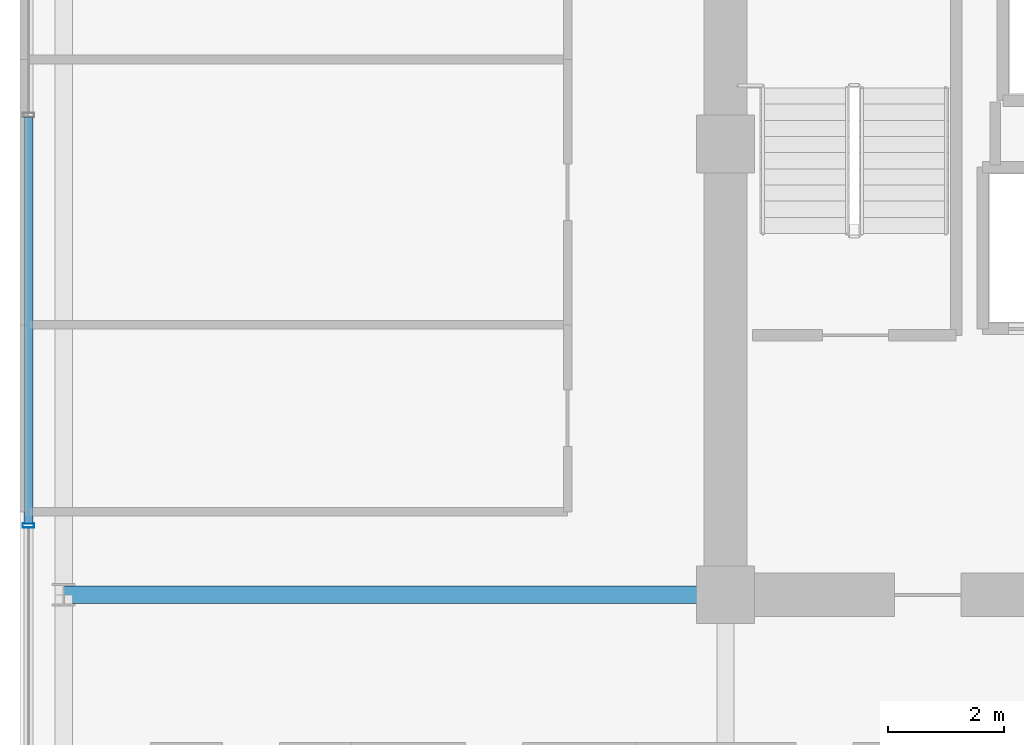
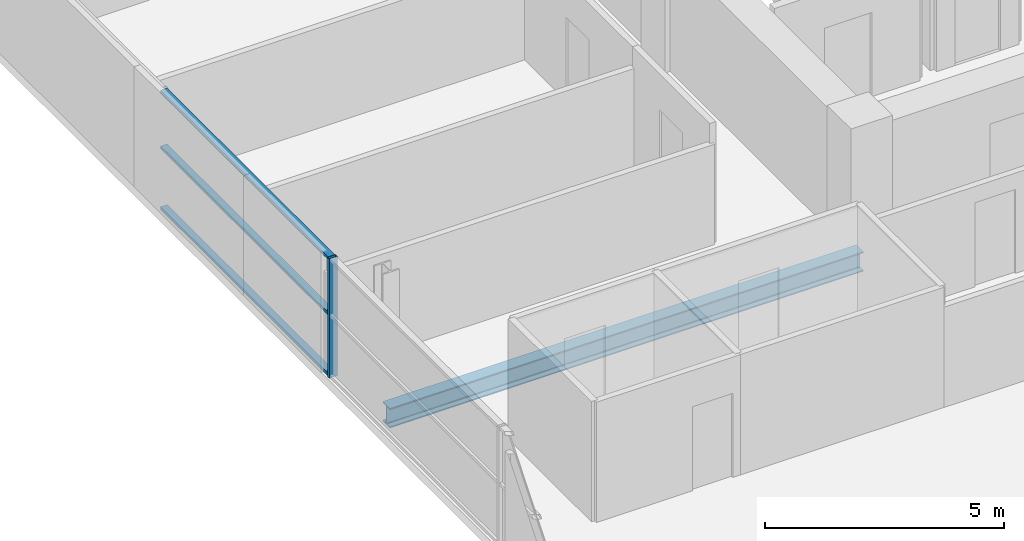
# One storey, part 9 of 25: 4 members, 1 beam, 1 element without a shape of its own.
"""IFC4 building model written with IfcOpenShell, lengths in metres."""

import ifcopenshell
import ifcopenshell.guid

model = None  # the IFC model being written
_history = None  # IfcOwnerHistory: only IFC2X3 demands one
_inside = {}  # id of a spatial element -> (the spatial element, [elements in it])
_under = {}  # id of a project, library or spatial element -> (it, [spatial elements below it])
_declared = {}  # id of a project -> (the project, [libraries it declares])
_typed = {}  # id of a type object -> (the type object, [elements of that type])
_made_of = {}  # id of a material, layer set ... -> (it, [elements and type objects made of it])


def new_model(schema):
    """Start an empty IFC model of exactly this schema.

    Asked for "IFC4X3", IfcOpenShell would pick the latest addendum, in which some entities
    have other attributes; the version numbers below select the first issue.
    IFC2X3 requires an IfcOwnerHistory on every rooted entity: one is made here for all.
    """
    global model, _history
    if schema == "IFC4X3":
        model = ifcopenshell.file(schema_version=(4, 3, 0, 0))
    else:
        model = ifcopenshell.file(schema=schema)
    _inside.clear()
    _under.clear()
    _declared.clear()
    _typed.clear()
    _made_of.clear()
    _history = None
    if model.schema == "IFC2X3":
        org = make("IfcOrganization", Name="unknown")
        user = make(
            "IfcPersonAndOrganization",
            ThePerson=make("IfcPerson", FamilyName="unknown"),
            TheOrganization=org,
        )
        app = make(
            "IfcApplication",
            ApplicationDeveloper=org,
            Version="unknown",
            ApplicationFullName="unknown",
            ApplicationIdentifier="unknown",
        )
        _history = make(
            "IfcOwnerHistory",
            OwningUser=user,
            OwningApplication=app,
            ChangeAction="ADDED",
            CreationDate=0,
        )
    return model


def make(cls, **values):
    """One entity of the class cls with the attributes given. An attribute that is None is left unset."""
    return model.create_entity(
        cls, **{name: value for name, value in values.items() if value is not None}
    )


def rooted(cls, **values):
    """An entity with a GlobalId (a new one), such as an element, a storey or a relation."""
    return make(cls, GlobalId=ifcopenshell.guid.new(), OwnerHistory=_history, **values)


def si_unit(unit_type, name, prefix=None):
    """IfcSIUnit, for example si_unit("LENGTHUNIT", "METRE", prefix="MILLI")."""
    return make("IfcSIUnit", UnitType=unit_type, Prefix=prefix, Name=name)


def assignment(units):
    """IfcUnitAssignment: the units of a project."""
    return None if units is None else make("IfcUnitAssignment", Units=units)


def point(xyz):
    """IfcCartesianPoint."""
    return None if xyz is None else make("IfcCartesianPoint", Coordinates=xyz)


def direction(xyz):
    """IfcDirection."""
    return None if xyz is None else make("IfcDirection", DirectionRatios=xyz)


def frame(location, z_axis=None, x_axis=None):
    """IfcAxis2Placement3D, a coordinate frame: its origin and axes. An axis left out is left unset."""
    return make(
        "IfcAxis2Placement3D",
        Location=point(location),
        Axis=direction(z_axis),
        RefDirection=direction(x_axis),
    )


def frame_2d(location, x_axis=None):
    """IfcAxis2Placement2D, a coordinate frame in the plane: its origin and x axis."""
    return make(
        "IfcAxis2Placement2D", Location=point(location), RefDirection=direction(x_axis)
    )


def origin():
    """The frame at (0, 0, 0) with its axes left unset."""
    return frame((0.0, 0.0, 0.0))


def origin_2d():
    """The frame at (0, 0) in the plane with its x axis left unset."""
    return frame_2d((0.0, 0.0))


def place(relative_to, where):
    """IfcLocalPlacement: puts the frame where relative to a parent placement (None: the world)."""
    return make(
        "IfcLocalPlacement", PlacementRelTo=relative_to, RelativePlacement=where
    )


def context(
    kind, dimensions, precision=None, world=None, true_north=None, identifier=None
):
    """IfcGeometricRepresentationContext, for example the 3D "Model" context."""
    return make(
        "IfcGeometricRepresentationContext",
        ContextIdentifier=identifier,
        ContextType=kind,
        CoordinateSpaceDimension=dimensions,
        Precision=precision,
        WorldCoordinateSystem=world,
        TrueNorth=true_north,
    )


def subcontext(parent, identifier, kind, view, scale=None):
    """IfcGeometricRepresentationSubContext, for example "Body" below "Model"."""
    return make(
        "IfcGeometricRepresentationSubContext",
        ContextIdentifier=identifier,
        ContextType=kind,
        ParentContext=parent,
        TargetScale=scale,
        TargetView=view,
    )


def project(units=None, contexts=None):
    """IfcProject with its units and contexts."""
    return rooted(
        "IfcProject",
        Name="project",
        RepresentationContexts=contexts,
        UnitsInContext=assignment(units),
    )


def spatial(cls, under=None, at=None, **own):
    """A site, building, storey or space (cls), placed at a placement, below another one or the project."""
    s = rooted(cls, ObjectPlacement=at, **own)
    if under is not None:
        _under.setdefault(under.id(), (under, []))[1].append(s)
    return s


def profile(cls, at=None, kind="AREA", **sizes):
    """A parametric profile (cls). Its sizes go by their IFC names, for example OverallWidth=200.0."""
    return make(cls, ProfileType=kind, Position=at, **sizes)


def hollow_rectangle(**sizes):
    """IfcRectangleHollowProfileDef."""
    return profile("IfcRectangleHollowProfileDef", **sizes)


def i_section(**sizes):
    """IfcIShapeProfileDef."""
    return profile("IfcIShapeProfileDef", **sizes)


def extrude(swept, where, along, depth):
    """IfcExtrudedAreaSolid: the profile swept, set in the frame where, extruded along a direction by depth."""
    return make(
        "IfcExtrudedAreaSolid",
        SweptArea=swept,
        Position=where,
        ExtrudedDirection=direction(along),
        Depth=depth,
    )


def shape(context_of_items, identifier, shape_type, items):
    """IfcShapeRepresentation: the items that make up one representation, for example the "Body"."""
    return make(
        "IfcShapeRepresentation",
        ContextOfItems=context_of_items,
        RepresentationIdentifier=identifier,
        RepresentationType=shape_type,
        Items=items,
    )


def source(mapping_origin, context_of_items, identifier, shape_type, items):
    """IfcRepresentationMap: a shape defined once, which mapped items show again and again."""
    return make(
        "IfcRepresentationMap",
        MappingOrigin=mapping_origin,
        MappedRepresentation=shape(context_of_items, identifier, shape_type, items),
    )


def transform(
    local_origin,
    x_axis=None,
    y_axis=None,
    z_axis=None,
    scale=None,
    scale2=None,
    scale3=None,
    uniform=True,
):
    """IfcCartesianTransformationOperator3D, or its non-uniform kind. x_axis, y_axis, z_axis: its Axis1, 2, 3."""
    if uniform:
        return make(
            "IfcCartesianTransformationOperator3D",
            Axis1=direction(x_axis),
            Axis2=direction(y_axis),
            LocalOrigin=point(local_origin),
            Scale=scale,
            Axis3=direction(z_axis),
        )
    return make(
        "IfcCartesianTransformationOperator3DnonUniform",
        Axis1=direction(x_axis),
        Axis2=direction(y_axis),
        LocalOrigin=point(local_origin),
        Scale=scale,
        Axis3=direction(z_axis),
        Scale2=scale2,
        Scale3=scale3,
    )


def mapped(mapping_source, mapping_target):
    """IfcMappedItem: shows the shape of a source again, moved by a transform."""
    return make(
        "IfcMappedItem", MappingSource=mapping_source, MappingTarget=mapping_target
    )


def material(Name=None, Category=None):
    """IfcMaterial."""
    return make("IfcMaterial", Name=Name, Category=Category)


def layer(
    of_material, thickness, ventilated=None, Name=None, Category=None, Priority=None
):
    """IfcMaterialLayer: one layer of a wall or slab, of a material (None: an air gap)."""
    return make(
        "IfcMaterialLayer",
        Material=of_material,
        LayerThickness=thickness,
        IsVentilated=ventilated,
        Name=Name,
        Category=Category,
        Priority=Priority,
    )


def layer_set(layers, Name=None):
    """IfcMaterialLayerSet."""
    return make("IfcMaterialLayerSet", MaterialLayers=layers, LayerSetName=Name)


def material_profile(
    of_material, cross_section, Name=None, Category=None, Priority=None
):
    """IfcMaterialProfile: a cross section and its material."""
    return make(
        "IfcMaterialProfile",
        Name=Name,
        Material=of_material,
        Profile=cross_section,
        Priority=Priority,
        Category=Category,
    )


def profile_set(profiles, Name=None, composite=None):
    """IfcMaterialProfileSet."""
    return make(
        "IfcMaterialProfileSet",
        Name=Name,
        MaterialProfiles=profiles,
        CompositeProfile=composite,
    )


def made_of(thing, what):
    """Note that an element or type object is made of a material, layer set ...; save() writes the relation."""
    if what is not None:
        _made_of.setdefault(what.id(), (what, []))[1].append(thing)
    return thing


def type_object(cls, material=None, **own):
    """A type object (cls), such as IfcWallType, which elements share."""
    return made_of(rooted(cls, **own), material)


def element(
    cls,
    number,
    at=None,
    inside=None,
    cuts=None,
    type_object=None,
    material=None,
    context=None,
    identifier="Body",
    shape_type=None,
    held_by="IfcProductDefinitionShape",
    body=None,
    shapes=None,
    **own,
):
    """One element of the class cls, such as IfcWall. Its Tag is "e" and its number.

    at: its placement. inside: the storey or other place that contains it. cuts: it is an
    opening in that element (IfcRelVoidsElement). A single representation is given by context,
    identifier, shape_type and body (its items); several are given by shapes. held_by: the class
    of the entity that holds the representations. save() writes the other relations.
    """
    e = rooted(cls, Tag="e%d" % number, ObjectPlacement=at, **own)
    if body is not None:
        shapes = [shape(context, identifier, shape_type, body)]
    if shapes is not None:
        e.Representation = make(held_by, Representations=shapes)
    if inside is not None:
        _inside.setdefault(inside.id(), (inside, []))[1].append(e)
    if cuts is not None:
        rooted(
            "IfcRelVoidsElement", RelatingBuildingElement=cuts, RelatedOpeningElement=e
        )
    if type_object is not None:
        _typed.setdefault(type_object.id(), (type_object, []))[1].append(e)
    return made_of(e, material)


def aggregate(whole, parts):
    """IfcRelAggregates: a whole, such as a stair, and the parts it consists of."""
    return rooted("IfcRelAggregates", RelatingObject=whole, RelatedObjects=parts)


def save(model, path):
    """Write the relations noted so far, then the file.

    IfcRelAggregates (storeys below a building ...), IfcRelContainedInSpatialStructure (elements
    in a storey), IfcRelDefinesByType, IfcRelAssociatesMaterial and IfcRelDeclares: one each for
    every whole, place, type object, material and project.
    """
    for whole, parts in _under.values():
        aggregate(whole, parts)
    for where, things in _inside.values():
        rooted(
            "IfcRelContainedInSpatialStructure",
            RelatedElements=things,
            RelatingStructure=where,
        )
    for kind, things in _typed.values():
        rooted("IfcRelDefinesByType", RelatedObjects=things, RelatingType=kind)
    for what, things in _made_of.values():
        rooted("IfcRelAssociatesMaterial", RelatedObjects=things, RelatingMaterial=what)
    for by, libraries in _declared.values():
        rooted("IfcRelDeclares", RelatingContext=by, RelatedDefinitions=libraries)
    model.write(path)


model = new_model("IFC4")

# Units and contexts
model_context = context("Model", 3, precision=1e-05, world=origin(), true_north=direction((0.0, 1.0)))
body_context = subcontext(model_context, "Body", "Model", "MODEL_VIEW")
ifc_project = project(units=[si_unit("LENGTHUNIT", "METRE"), si_unit("AREAUNIT", "SQUARE_METRE"), si_unit("VOLUMEUNIT", "CUBIC_METRE"), si_unit("PLANEANGLEUNIT", "RADIAN"), si_unit("MASSUNIT", "GRAM", prefix="KILO")], contexts=[model_context])

# Site, building, storey
site_placement = place(None, origin())
site = spatial("IfcSite", under=ifc_project, at=site_placement, CompositionType="ELEMENT")
building_placement = place(site_placement, origin())
building = spatial("IfcBuilding", under=site, at=building_placement, Name="Zarnakvel Exchange Tower", CompositionType="ELEMENT")
storey_placement = place(building_placement, frame((0.0, 0.0, 162.699951171875)))
storey = spatial("IfcBuildingStorey", under=building, at=storey_placement, Name="L45", CompositionType="ELEMENT", Elevation=162.699951171875)

# Beam
ifc_material_1 = material(Name="Steel S355", Category="steel")
ifc_material_profile_1 = material_profile(ifc_material_1, i_section(OverallWidth=0.300048828125, OverallDepth=0.5, WebThickness=0.014404296875, FlangeThickness=0.028076171875, FilletRadius=0.027099609375, at=origin_2d()))
ifc_profile_set_1 = profile_set([ifc_material_profile_1], Name="Steel S355")
beam_type = type_object("IfcBeamType", Name="G-06", PredefinedType="BEAM", material=ifc_profile_set_1)
beam_placement = place(storey_placement, frame((-25.85009765625, -1.199951171875, -0.474853515625), z_axis=(1.0, 0.0, 0.0), x_axis=(0.0, 1.0, 0.0)))
element("IfcBeam", 1, at=beam_placement, inside=storey, type_object=beam_type, Name="L45 Tower E-W Frame Beam", PredefinedType="BEAM", context=body_context, shape_type="SweptSolid", body=[
    extrude(i_section(OverallWidth=0.300048828125, OverallDepth=0.5, WebThickness=0.014404296875, FlangeThickness=0.028076171875, FilletRadius=0.027099609375, at=origin_2d()), origin(), (0.0, 0.0, 1.0), 11.4501953125),
])

# Curtain wall, members
ifc_material_2 = material(Name="Architectural Bronze Anodised Aluminium", Category="aluminium")
ifc_layer = layer(ifc_material_2, 0.199951171875)
ifc_layer_set = layer_set([ifc_layer], Name="Architectural Bronze Anodised Aluminium")
curtain_wall_type = type_object("IfcCurtainWallType", Name="CW-04", PredefinedType="NOTDEFINED", material=ifc_layer_set)
curtain_wall_placement = place(storey_placement, origin())
curtain_wall = element("IfcCurtainWall", 2, at=curtain_wall_placement, inside=storey, type_object=curtain_wall_type, Name="L45 Curtain Wall CW-L45-W1 (CW-04)", PredefinedType="NOTDEFINED")
ifc_material_profile_2 = material_profile(ifc_material_2, hollow_rectangle(XDim=0.199951171875, YDim=0.074951171875, WallThickness=0.0048828125, at=origin_2d()))
ifc_profile_set_2 = profile_set([ifc_material_profile_2], Name="Architectural Bronze Anodised Aluminium")
member_type_1 = type_object("IfcMemberType", Name="CWM-04", PredefinedType="MULLION", material=ifc_profile_set_2)
shared_shape_1 = source(origin(), body_context, "Body", "SweptSolid", [
    extrude(hollow_rectangle(XDim=0.199951171875, YDim=0.074951171875, WallThickness=0.0048828125, at=origin_2d()), origin(), (0.0, 0.0, 1.0), 3.054931640625),
])
member_1_placement = place(storey_placement, frame((-26.4599609375, 0.0, 0.0), z_axis=(0.0, 0.0, 1.0), x_axis=(-1.0, 0.0, 0.0)))
member_1 = element("IfcMember", 3, at=member_1_placement, type_object=member_type_1, Name="CW-04 mullion 3", PredefinedType="MULLION", context=body_context, shape_type="MappedRepresentation", body=[
    mapped(shared_shape_1, transform((0.0, 0.0, 0.0), x_axis=(1.0, 0.0, 0.0), y_axis=(0.0, 1.0, 0.0), z_axis=(0.0, 0.0, 1.0), scale=1.0)),
])
ifc_material_profile_3 = material_profile(ifc_material_2, hollow_rectangle(XDim=0.159912109375, YDim=0.074951171875, WallThickness=0.00390625, at=origin_2d()))
ifc_profile_set_3 = profile_set([ifc_material_profile_3], Name="Architectural Bronze Anodised Aluminium")
member_type_2 = type_object("IfcMemberType", Name="CWT-04", PredefinedType="USERDEFINED", material=ifc_profile_set_3)
shared_shape_2 = source(origin(), body_context, "Body", "SweptSolid", [
    extrude(hollow_rectangle(XDim=0.159912109375, YDim=0.074951171875, WallThickness=0.00390625, at=origin_2d()), origin(), (0.0, 0.0, 1.0), 7.02490234375),
])
member_2_placement = place(storey_placement, frame((-26.4599609375, 0.03759765625, 0.03759765625), z_axis=(0.0, 1.0, 0.0), x_axis=(-1.0, 0.0, 0.0)))
member_2 = element("IfcMember", 4, at=member_2_placement, type_object=member_type_2, Name="CW-04 transom 3.1", ObjectType="TRANSOM", PredefinedType="USERDEFINED", context=body_context, shape_type="MappedRepresentation", body=[
    mapped(shared_shape_2, transform((0.0, 0.0, 0.0), x_axis=(1.0, 0.0, 0.0), y_axis=(0.0, 1.0, 0.0), z_axis=(0.0, 0.0, 1.0), scale=1.0)),
])
member_3_placement = place(storey_placement, frame((-26.4599609375, 0.03759765625, 1.588623046875), z_axis=(0.0, 1.0, 0.0), x_axis=(-1.0, 0.0, 0.0)))
member_3 = element("IfcMember", 5, at=member_3_placement, type_object=member_type_2, Name="CW-04 transom 3.2", ObjectType="TRANSOM", PredefinedType="USERDEFINED", context=body_context, shape_type="MappedRepresentation", body=[
    mapped(shared_shape_2, transform((0.0, 0.0, 0.0), x_axis=(1.0, 0.0, 0.0), y_axis=(0.0, 1.0, 0.0), z_axis=(0.0, 0.0, 1.0), scale=1.0)),
])
member_4_placement = place(storey_placement, frame((-26.4599609375, 0.03759765625, 3.017578125), z_axis=(0.0, 1.0, 0.0), x_axis=(-1.0, 0.0, 0.0)))
member_4 = element("IfcMember", 6, at=member_4_placement, type_object=member_type_2, Name="CW-04 transom 3.3", ObjectType="TRANSOM", PredefinedType="USERDEFINED", context=body_context, shape_type="MappedRepresentation", body=[
    mapped(shared_shape_2, transform((0.0, 0.0, 0.0), x_axis=(1.0, 0.0, 0.0), y_axis=(0.0, 1.0, 0.0), z_axis=(0.0, 0.0, 1.0), scale=1.0)),
])
aggregate(curtain_wall, [member_1, member_2, member_3, member_4])

save(model, "model.ifc")
